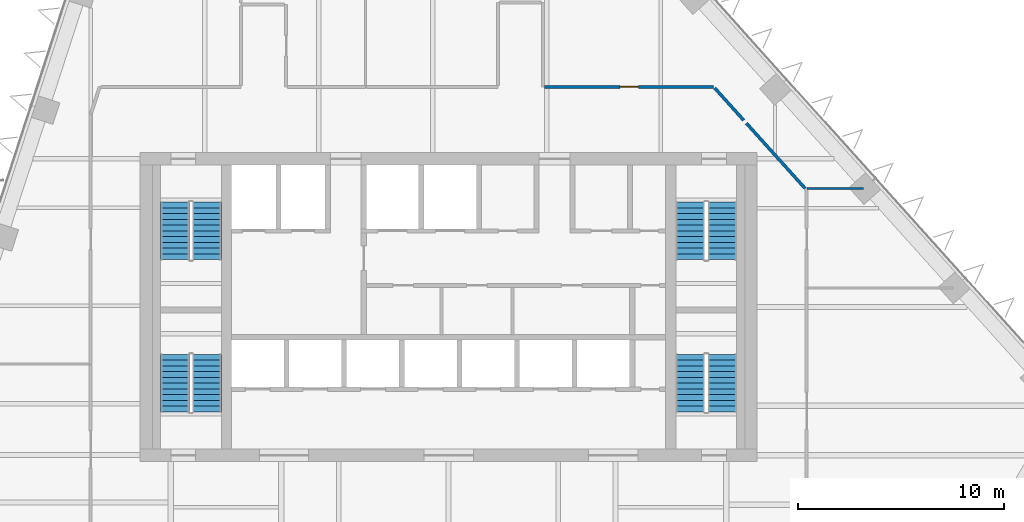
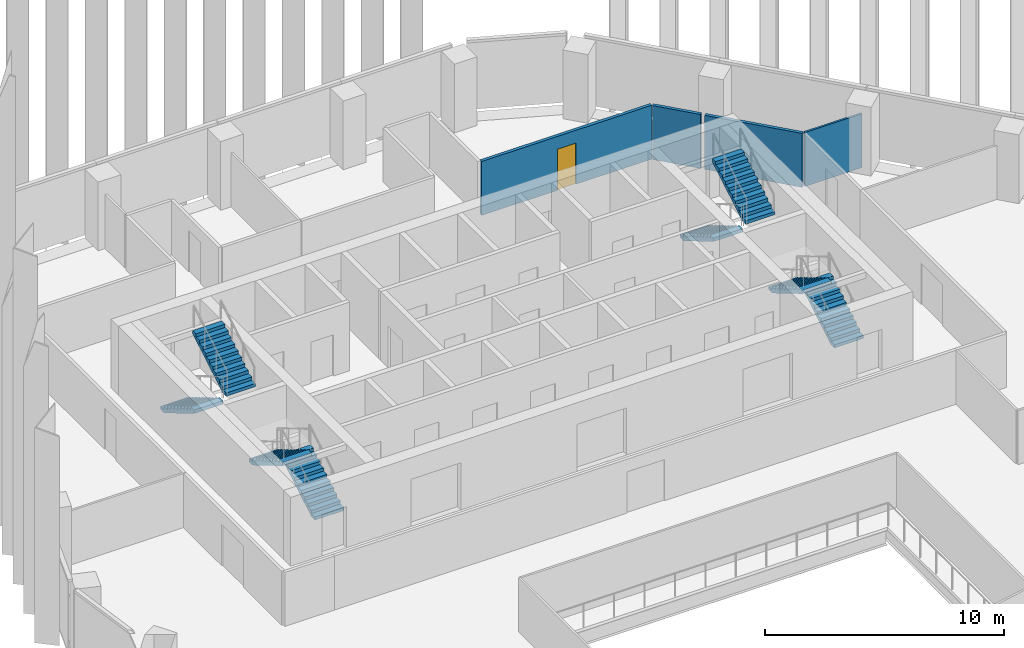
# One storey, part 11 of 18: 8 stair flights, 4 walls, 1 door, 1 opening, 4 elements without a shape of their own.
"""IFC4 building model written with IfcOpenShell, lengths in metres."""

from ifc_helpers import new_model, si_unit, direction, frame, frame_2d, origin, place, context, subcontext, project, spatial, polyline, rectangle, outline, extrude, material, layer, layer_set, type_object, element, fill, aggregate, save


model = new_model("IFC4")

# Units and contexts
model_context = context("Model", 3, precision=1e-05, world=origin(), true_north=direction((0.0, 1.0)))
body_context = subcontext(model_context, "Body", "Model", "MODEL_VIEW")
ifc_project = project(units=[si_unit("LENGTHUNIT", "METRE"), si_unit("AREAUNIT", "SQUARE_METRE"), si_unit("VOLUMEUNIT", "CUBIC_METRE"), si_unit("PLANEANGLEUNIT", "RADIAN"), si_unit("MASSUNIT", "GRAM", prefix="KILO")], contexts=[model_context])

# Site, building, storey
site_placement = place(None, origin())
site = spatial("IfcSite", under=ifc_project, at=site_placement, CompositionType="ELEMENT")
building_placement = place(site_placement, origin())
building = spatial("IfcBuilding", under=site, at=building_placement, Name="Isthmus Gate Tower", CompositionType="ELEMENT")
storey_placement = place(building_placement, frame((0.0, 0.0, 238.199951171875)))
storey = spatial("IfcBuildingStorey", under=building, at=storey_placement, Name="L60", CompositionType="ELEMENT", Elevation=238.199951171875)

# Wall, opening, door
ifc_material_1 = material(Name="Gypsum board on steel studs, fire-rated", Category="steel")
ifc_layer_1 = layer(ifc_material_1, 0.14990234375)
ifc_layer_set_1 = layer_set([ifc_layer_1], Name="CORRIDOR WALL 150 60 MIN")
wall_type_1 = type_object("IfcWallType", Name="CORRIDOR WALL 150 60 MIN", PredefinedType="PARTITIONING", material=ifc_layer_set_1)
wall_1_placement = place(storey_placement, frame((4.675048828125, 18.199951171875, 0.0), z_axis=(0.0, 0.0, 1.0), x_axis=(1.0, 0.0, 0.0)))
wall_1 = element("IfcWall", 1, at=wall_1_placement, inside=storey, type_object=wall_type_1, Name="L60 Corridor Wall 150 60 Min", PredefinedType="PARTITIONING", context=body_context, shape_type="SweptSolid", body=[
    extrude(rectangle(XDim=8.2099609375, YDim=0.14990234375, at=frame_2d((4.10498046875, 0.0))), origin(), (0.0, 0.0, 1.0), 2.750732421875),
])
opening_placement = place(wall_1_placement, frame((3.655029296875, 0.0, 0.0)))
opening = element("IfcOpeningElement", 2, at=opening_placement, cuts=wall_1, Name="Opening DT-T5C-03", PredefinedType="OPENING", context=body_context, shape_type="SweptSolid", body=[
    extrude(rectangle(XDim=0.89990234375, YDim=2.10009765625, at=frame_2d((0.449951171875, 1.050048828125))), frame((0.0, 0.0849609375, 0.0), z_axis=(0.0, -1.0, 0.0), x_axis=(1.0, 0.0, 0.0)), (0.0, 0.0, 1.0), 0.169921875),
])
ifc_material_2 = material(Name="Solid core timber door leaf, fire-rated", Category="wood")
door_type = type_object("IfcDoorType", Name="FIRE DOOR ROOM 900 X 2100 60 MIN", OperationType="SINGLE_SWING_LEFT", PredefinedType="DOOR", material=ifc_material_2)
door_placement = place(opening_placement, origin())
door = element("IfcDoor", 3, at=door_placement, inside=storey, type_object=door_type, Name="L60 room door", OperationType="SINGLE_SWING_RIGHT", OverallHeight=2.10009765625, OverallWidth=0.89990234375, PredefinedType="DOOR", context=body_context, shape_type="SweptSolid", body=[
    extrude(rectangle(XDim=0.89990234375, YDim=2.10009765625, at=frame_2d((0.449951171875, 1.050048828125))), frame((0.0, 0.02490234375, 0.0), z_axis=(0.0, -1.0, 0.0), x_axis=(1.0, 0.0, 0.0)), (0.0, 0.0, 1.0), 0.050048828125),
])
fill(opening, door)

# Walls
wall_2_placement = place(storey_placement, frame((12.935302734375, 18.144287109375, 0.0), z_axis=(0.0, 0.0, 1.0), x_axis=(0.669054213286, -0.743213603, 0.0)))
element("IfcWall", 4, at=wall_2_placement, inside=storey, type_object=wall_type_1, Name="L60 Corridor Wall 150 60 Min", PredefinedType="PARTITIONING", context=body_context, shape_type="SweptSolid", body=[
    extrude(rectangle(XDim=2.1103515625, YDim=0.14990234375, at=frame_2d((1.05517578125, 0.0))), origin(), (0.0, 0.0, 1.0), 2.750732421875),
])
wall_3_placement = place(storey_placement, frame((14.47607421875, 16.432861328125, 0.0), z_axis=(0.0, 0.0, 1.0), x_axis=(0.669119130918, -0.74315515785, 0.0)))
element("IfcWall", 5, at=wall_3_placement, inside=storey, type_object=wall_type_1, Name="L60 Corridor Wall 150 60 Min", PredefinedType="PARTITIONING", context=body_context, shape_type="SweptSolid", body=[
    extrude(rectangle(XDim=4.2802734375, YDim=0.14990234375, at=frame_2d((2.14013671875, 0.0))), origin(), (0.0, 0.0, 1.0), 2.750732421875),
])
ifc_material_3 = material(Name="Gypsum board on steel studs, fire-rated", Category="steel")
ifc_layer_2 = layer(ifc_material_3, 0.10009765625)
ifc_layer_set_2 = layer_set([ifc_layer_2], Name="ROOM PARTITION 100 30 MIN")
wall_type_2 = type_object("IfcWallType", Name="ROOM PARTITION 100 30 MIN", PredefinedType="PARTITIONING", material=ifc_layer_set_2)
wall_4_placement = place(storey_placement, frame((17.423095703125, 13.251953125, 0.0), z_axis=(0.0, 0.0, 1.0), x_axis=(1.0, 0.0, 0.0)))
element("IfcWall", 6, at=wall_4_placement, inside=storey, type_object=wall_type_2, Name="L60 Room Partition 100 30 Min", PredefinedType="PARTITIONING", context=body_context, shape_type="SweptSolid", body=[
    extrude(rectangle(XDim=2.742919921875, YDim=0.10009765625, at=frame_2d((1.37158203125, 0.0))), origin(), (0.0, 0.0, 1.0), 2.750732421875),
])

# Stair, stair flights
ifc_material_4 = material(Name="Concrete f'c 40 MPa", Category="concrete")
stair_type = type_object("IfcStairType", Name="CORE STAIR 22 RISERS", PredefinedType="HALF_TURN_STAIR", material=ifc_material_4)
stair_1_placement = place(storey_placement, origin())
stair_1 = element("IfcStair", 7, at=stair_1_placement, inside=storey, type_object=stair_type, Name="L60 Exit Stair 1", PredefinedType="HALF_TURN_STAIR")
ifc_material_5 = material(Name="Concrete f'c 40 MPa", Category="concrete")
stair_flight_type = type_object("IfcStairFlightType", Name="STAIR FLIGHT RC 1400", PredefinedType="STRAIGHT", material=ifc_material_5)
stair_flight_1_placement = place(storey_placement, frame((-13.300048828125, 12.60009765625, 0.0), z_axis=(0.0, 0.0, 1.0), x_axis=(0.0, -1.0, 0.0)))
stair_flight_1 = element("IfcStairFlight", 8, at=stair_flight_1_placement, type_object=stair_flight_type, Name="ST1 flight 1", NumberOfRisers=11, NumberOfTreads=10, PredefinedType="STRAIGHT", RiserHeight=0.165909091, TreadLength=0.28, context=body_context, shape_type="SweptSolid", body=[
    extrude(outline(polyline([(0.0, 0.0), (0.0, 0.166015625), (0.280029296875, 0.166015625), (0.280029296875, 0.331787109375), (0.56005859375, 0.331787109375), (0.56005859375, 0.497802734375), (0.840087890625, 0.497802734375), (0.840087890625, 0.66357421875), (1.1201171875, 0.66357421875), (1.1201171875, 0.82958984375), (1.39990234375, 0.82958984375), (1.39990234375, 0.995361328125), (1.679931640625, 0.995361328125), (1.679931640625, 1.161376953125), (1.9599609375, 1.161376953125), (1.9599609375, 1.327392578125), (2.239990234375, 1.327392578125), (2.239990234375, 1.4931640625), (2.52001953125, 1.4931640625), (2.52001953125, 1.6591796875), (2.800048828125, 1.6591796875), (2.800048828125, 1.824951171875), (2.800048828125, 1.48486328125), (0.2939453125, 0.0), (0.0, 0.0)])), frame((0.0, 0.699951171875, 0.0), z_axis=(0.0, -1.0, 0.0), x_axis=(1.0, 0.0, 0.0)), (0.0, 0.0, 1.0), 1.39990234375),
])
stair_flight_2_placement = place(storey_placement, frame((-11.75, 9.800048828125, 1.824951171875), z_axis=(0.0, 0.0, 1.0), x_axis=(0.0, 1.0, 0.0)))
stair_flight_2 = element("IfcStairFlight", 9, at=stair_flight_2_placement, type_object=stair_flight_type, Name="ST1 flight 2", NumberOfRisers=11, NumberOfTreads=10, PredefinedType="STRAIGHT", RiserHeight=0.165909091, TreadLength=0.28, context=body_context, shape_type="SweptSolid", body=[
    extrude(outline(polyline([(0.0, 0.0), (0.0, 0.166015625), (0.280029296875, 0.166015625), (0.280029296875, 0.331787109375), (0.56005859375, 0.331787109375), (0.56005859375, 0.497802734375), (0.840087890625, 0.497802734375), (0.840087890625, 0.66357421875), (1.1201171875, 0.66357421875), (1.1201171875, 0.82958984375), (1.39990234375, 0.82958984375), (1.39990234375, 0.995361328125), (1.679931640625, 0.995361328125), (1.679931640625, 1.161376953125), (1.9599609375, 1.161376953125), (1.9599609375, 1.327392578125), (2.239990234375, 1.327392578125), (2.239990234375, 1.4931640625), (2.52001953125, 1.4931640625), (2.52001953125, 1.6591796875), (2.800048828125, 1.6591796875), (2.800048828125, 1.824951171875), (2.800048828125, 1.48486328125), (0.2939453125, 0.0), (0.0, 0.0)])), frame((0.0, 0.699951171875, 0.0), z_axis=(0.0, -1.0, 0.0), x_axis=(1.0, 0.0, 0.0)), (0.0, 0.0, 1.0), 1.39990234375),
])
aggregate(stair_1, [stair_flight_1, stair_flight_2])

stair_2_placement = place(storey_placement, origin())
stair_2 = element("IfcStair", 10, at=stair_2_placement, inside=storey, type_object=stair_type, Name="L60 Exit Stair 2", PredefinedType="HALF_TURN_STAIR")
stair_flight_3_placement = place(storey_placement, frame((11.75, 12.60009765625, 0.0), z_axis=(0.0, 0.0, 1.0), x_axis=(0.0, -1.0, 0.0)))
stair_flight_3 = element("IfcStairFlight", 11, at=stair_flight_3_placement, type_object=stair_flight_type, Name="ST2 flight 1", NumberOfRisers=11, NumberOfTreads=10, PredefinedType="STRAIGHT", RiserHeight=0.165909091, TreadLength=0.28, context=body_context, shape_type="SweptSolid", body=[
    extrude(outline(polyline([(0.0, 0.0), (0.0, 0.166015625), (0.280029296875, 0.166015625), (0.280029296875, 0.331787109375), (0.56005859375, 0.331787109375), (0.56005859375, 0.497802734375), (0.840087890625, 0.497802734375), (0.840087890625, 0.66357421875), (1.1201171875, 0.66357421875), (1.1201171875, 0.82958984375), (1.39990234375, 0.82958984375), (1.39990234375, 0.995361328125), (1.679931640625, 0.995361328125), (1.679931640625, 1.161376953125), (1.9599609375, 1.161376953125), (1.9599609375, 1.327392578125), (2.239990234375, 1.327392578125), (2.239990234375, 1.4931640625), (2.52001953125, 1.4931640625), (2.52001953125, 1.6591796875), (2.800048828125, 1.6591796875), (2.800048828125, 1.824951171875), (2.800048828125, 1.48486328125), (0.2939453125, 0.0), (0.0, 0.0)])), frame((0.0, 0.699951171875, 0.0), z_axis=(0.0, -1.0, 0.0), x_axis=(1.0, 0.0, 0.0)), (0.0, 0.0, 1.0), 1.39990234375),
])
stair_flight_4_placement = place(storey_placement, frame((13.300048828125, 9.800048828125, 1.824951171875), z_axis=(0.0, 0.0, 1.0), x_axis=(0.0, 1.0, 0.0)))
stair_flight_4 = element("IfcStairFlight", 12, at=stair_flight_4_placement, type_object=stair_flight_type, Name="ST2 flight 2", NumberOfRisers=11, NumberOfTreads=10, PredefinedType="STRAIGHT", RiserHeight=0.165909091, TreadLength=0.28, context=body_context, shape_type="SweptSolid", body=[
    extrude(outline(polyline([(0.0, 0.0), (0.0, 0.166015625), (0.280029296875, 0.166015625), (0.280029296875, 0.331787109375), (0.56005859375, 0.331787109375), (0.56005859375, 0.497802734375), (0.840087890625, 0.497802734375), (0.840087890625, 0.66357421875), (1.1201171875, 0.66357421875), (1.1201171875, 0.82958984375), (1.39990234375, 0.82958984375), (1.39990234375, 0.995361328125), (1.679931640625, 0.995361328125), (1.679931640625, 1.161376953125), (1.9599609375, 1.161376953125), (1.9599609375, 1.327392578125), (2.239990234375, 1.327392578125), (2.239990234375, 1.4931640625), (2.52001953125, 1.4931640625), (2.52001953125, 1.6591796875), (2.800048828125, 1.6591796875), (2.800048828125, 1.824951171875), (2.800048828125, 1.48486328125), (0.2939453125, 0.0), (0.0, 0.0)])), frame((0.0, 0.699951171875, 0.0), z_axis=(0.0, -1.0, 0.0), x_axis=(1.0, 0.0, 0.0)), (0.0, 0.0, 1.0), 1.39990234375),
])
aggregate(stair_2, [stair_flight_3, stair_flight_4])

stair_3_placement = place(storey_placement, origin())
stair_3 = element("IfcStair", 13, at=stair_3_placement, inside=storey, type_object=stair_type, Name="L60 Exit Stair 7", PredefinedType="HALF_TURN_STAIR")
stair_flight_5_placement = place(storey_placement, frame((-11.75, 2.39990234375, 0.0), z_axis=(0.0, 0.0, 1.0), x_axis=(0.0, 1.0, 0.0)))
stair_flight_5 = element("IfcStairFlight", 14, at=stair_flight_5_placement, type_object=stair_flight_type, Name="ST7 flight 1", NumberOfRisers=11, NumberOfTreads=10, PredefinedType="STRAIGHT", RiserHeight=0.165909091, TreadLength=0.28, context=body_context, shape_type="SweptSolid", body=[
    extrude(outline(polyline([(0.0, 0.0), (0.0, 0.166015625), (0.280029296875, 0.166015625), (0.280029296875, 0.331787109375), (0.56005859375, 0.331787109375), (0.56005859375, 0.497802734375), (0.840087890625, 0.497802734375), (0.840087890625, 0.66357421875), (1.1201171875, 0.66357421875), (1.1201171875, 0.82958984375), (1.39990234375, 0.82958984375), (1.39990234375, 0.995361328125), (1.679931640625, 0.995361328125), (1.679931640625, 1.161376953125), (1.9599609375, 1.161376953125), (1.9599609375, 1.327392578125), (2.239990234375, 1.327392578125), (2.239990234375, 1.4931640625), (2.52001953125, 1.4931640625), (2.52001953125, 1.6591796875), (2.800048828125, 1.6591796875), (2.800048828125, 1.824951171875), (2.800048828125, 1.48486328125), (0.2939453125, 0.0), (0.0, 0.0)])), frame((0.0, 0.699951171875, 0.0), z_axis=(0.0, -1.0, 0.0), x_axis=(1.0, 0.0, 0.0)), (0.0, 0.0, 1.0), 1.39990234375),
])
stair_flight_6_placement = place(storey_placement, frame((-13.300048828125, 5.199951171875, 1.824951171875), z_axis=(0.0, 0.0, 1.0), x_axis=(0.0, -1.0, 0.0)))
stair_flight_6 = element("IfcStairFlight", 15, at=stair_flight_6_placement, type_object=stair_flight_type, Name="ST7 flight 2", NumberOfRisers=11, NumberOfTreads=10, PredefinedType="STRAIGHT", RiserHeight=0.165909091, TreadLength=0.28, context=body_context, shape_type="SweptSolid", body=[
    extrude(outline(polyline([(0.0, 0.0), (0.0, 0.166015625), (0.280029296875, 0.166015625), (0.280029296875, 0.331787109375), (0.56005859375, 0.331787109375), (0.56005859375, 0.497802734375), (0.840087890625, 0.497802734375), (0.840087890625, 0.66357421875), (1.1201171875, 0.66357421875), (1.1201171875, 0.82958984375), (1.39990234375, 0.82958984375), (1.39990234375, 0.995361328125), (1.679931640625, 0.995361328125), (1.679931640625, 1.161376953125), (1.9599609375, 1.161376953125), (1.9599609375, 1.327392578125), (2.239990234375, 1.327392578125), (2.239990234375, 1.4931640625), (2.52001953125, 1.4931640625), (2.52001953125, 1.6591796875), (2.800048828125, 1.6591796875), (2.800048828125, 1.824951171875), (2.800048828125, 1.48486328125), (0.2939453125, 0.0), (0.0, 0.0)])), frame((0.0, 0.699951171875, 0.0), z_axis=(0.0, -1.0, 0.0), x_axis=(1.0, 0.0, 0.0)), (0.0, 0.0, 1.0), 1.39990234375),
])
aggregate(stair_3, [stair_flight_5, stair_flight_6])

stair_4_placement = place(storey_placement, origin())
stair_4 = element("IfcStair", 16, at=stair_4_placement, inside=storey, type_object=stair_type, Name="L60 Exit Stair 8", PredefinedType="HALF_TURN_STAIR")
stair_flight_7_placement = place(storey_placement, frame((13.300048828125, 2.39990234375, 0.0), z_axis=(0.0, 0.0, 1.0), x_axis=(0.0, 1.0, 0.0)))
stair_flight_7 = element("IfcStairFlight", 17, at=stair_flight_7_placement, type_object=stair_flight_type, Name="ST8 flight 1", NumberOfRisers=11, NumberOfTreads=10, PredefinedType="STRAIGHT", RiserHeight=0.165909091, TreadLength=0.28, context=body_context, shape_type="SweptSolid", body=[
    extrude(outline(polyline([(0.0, 0.0), (0.0, 0.166015625), (0.280029296875, 0.166015625), (0.280029296875, 0.331787109375), (0.56005859375, 0.331787109375), (0.56005859375, 0.497802734375), (0.840087890625, 0.497802734375), (0.840087890625, 0.66357421875), (1.1201171875, 0.66357421875), (1.1201171875, 0.82958984375), (1.39990234375, 0.82958984375), (1.39990234375, 0.995361328125), (1.679931640625, 0.995361328125), (1.679931640625, 1.161376953125), (1.9599609375, 1.161376953125), (1.9599609375, 1.327392578125), (2.239990234375, 1.327392578125), (2.239990234375, 1.4931640625), (2.52001953125, 1.4931640625), (2.52001953125, 1.6591796875), (2.800048828125, 1.6591796875), (2.800048828125, 1.824951171875), (2.800048828125, 1.48486328125), (0.2939453125, 0.0), (0.0, 0.0)])), frame((0.0, 0.699951171875, 0.0), z_axis=(0.0, -1.0, 0.0), x_axis=(1.0, 0.0, 0.0)), (0.0, 0.0, 1.0), 1.39990234375),
])
stair_flight_8_placement = place(storey_placement, frame((11.75, 5.199951171875, 1.824951171875), z_axis=(0.0, 0.0, 1.0), x_axis=(0.0, -1.0, 0.0)))
stair_flight_8 = element("IfcStairFlight", 18, at=stair_flight_8_placement, type_object=stair_flight_type, Name="ST8 flight 2", NumberOfRisers=11, NumberOfTreads=10, PredefinedType="STRAIGHT", RiserHeight=0.165909091, TreadLength=0.28, context=body_context, shape_type="SweptSolid", body=[
    extrude(outline(polyline([(0.0, 0.0), (0.0, 0.166015625), (0.280029296875, 0.166015625), (0.280029296875, 0.331787109375), (0.56005859375, 0.331787109375), (0.56005859375, 0.497802734375), (0.840087890625, 0.497802734375), (0.840087890625, 0.66357421875), (1.1201171875, 0.66357421875), (1.1201171875, 0.82958984375), (1.39990234375, 0.82958984375), (1.39990234375, 0.995361328125), (1.679931640625, 0.995361328125), (1.679931640625, 1.161376953125), (1.9599609375, 1.161376953125), (1.9599609375, 1.327392578125), (2.239990234375, 1.327392578125), (2.239990234375, 1.4931640625), (2.52001953125, 1.4931640625), (2.52001953125, 1.6591796875), (2.800048828125, 1.6591796875), (2.800048828125, 1.824951171875), (2.800048828125, 1.48486328125), (0.2939453125, 0.0), (0.0, 0.0)])), frame((0.0, 0.699951171875, 0.0), z_axis=(0.0, -1.0, 0.0), x_axis=(1.0, 0.0, 0.0)), (0.0, 0.0, 1.0), 1.39990234375),
])
aggregate(stair_4, [stair_flight_7, stair_flight_8])

save(model, "model.ifc")
